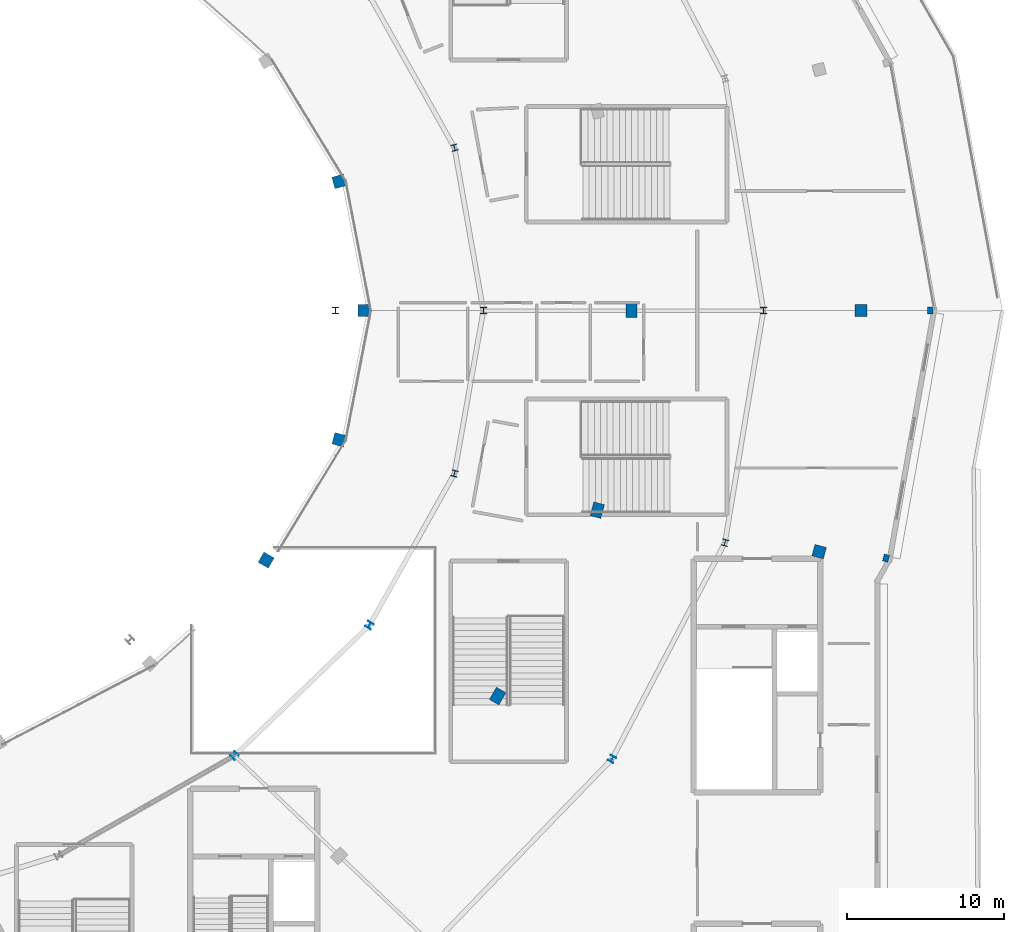
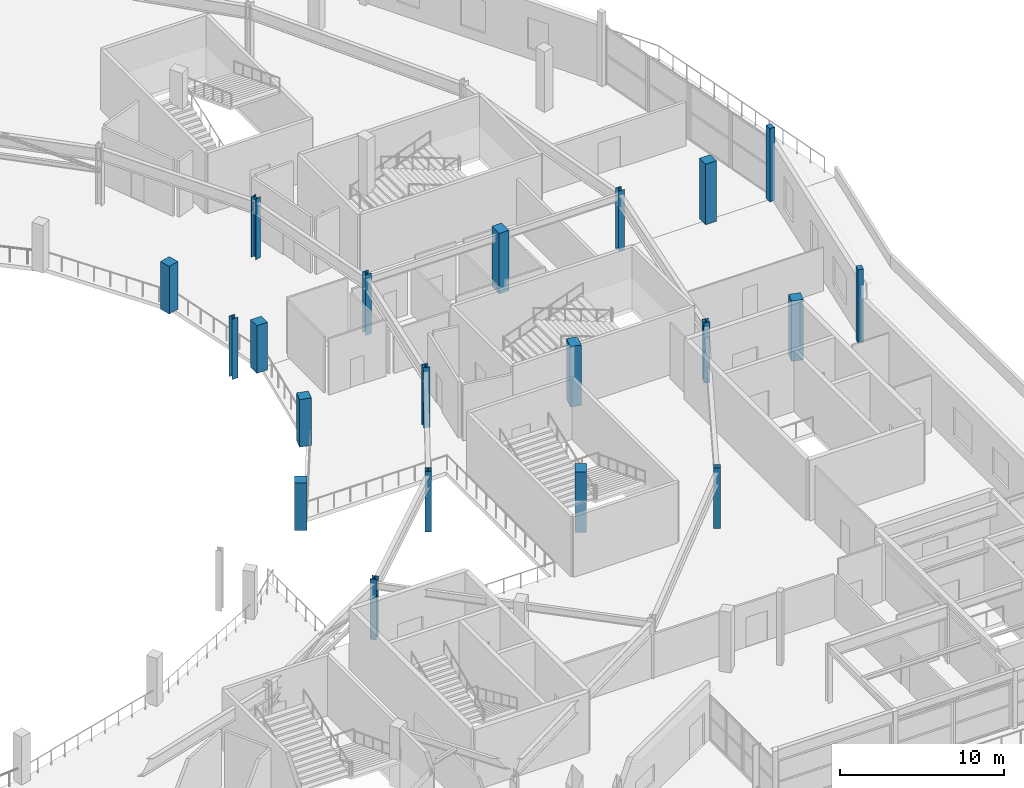
# One storey, part 14 of 123: 20 columns.
"""IFC4 building model written with IfcOpenShell, lengths in metres."""

from ifc_helpers import new_model, si_unit, direction, frame, origin, origin_2d, place, context, subcontext, project, spatial, rectangle, i_section, extrude, material, material_profile, profile_set, type_object, element, save


model = new_model("IFC4")

# Units and contexts
model_context = context("Model", 3, precision=1e-05, world=origin(), true_north=direction((0.0, 1.0)))
body_context = subcontext(model_context, "Body", "Model", "MODEL_VIEW")
ifc_project = project(units=[si_unit("LENGTHUNIT", "METRE"), si_unit("AREAUNIT", "SQUARE_METRE"), si_unit("VOLUMEUNIT", "CUBIC_METRE"), si_unit("PLANEANGLEUNIT", "RADIAN"), si_unit("MASSUNIT", "GRAM", prefix="KILO")], contexts=[model_context])

# Site, building, storey
site_placement = place(None, origin())
site = spatial("IfcSite", under=ifc_project, at=site_placement, CompositionType="ELEMENT")
building_placement = place(site_placement, origin())
building = spatial("IfcBuilding", under=site, at=building_placement, Name="Kalgoora Escarpment Arena", CompositionType="ELEMENT")
storey_placement = place(building_placement, frame((0.0, 0.0, 9.89990234375)))
storey = spatial("IfcBuildingStorey", under=building, at=storey_placement, Name="L02", CompositionType="ELEMENT", Elevation=9.89990234375)

# Columns
ifc_material_1 = material(Name="Structural steel Grade 350 (350 MPa)", Category="steel")
ifc_material_profile_1 = material_profile(ifc_material_1, i_section(OverallWidth=0.39990234375, OverallDepth=0.39990234375, WebThickness=0.01611328125, FlangeThickness=0.028076171875, at=origin_2d()))
ifc_profile_set_1 = profile_set([ifc_material_profile_1], Name="Structural steel Grade 350 (350 MPa)")
column_type_1 = type_object("IfcColumnType", Name="COL-COL-400WC212", PredefinedType="COLUMN", material=ifc_profile_set_1)
for number, where, z_axis, x_axis, name in (
    (1, (164.199951171875, 64.0, 0.0), (0.0, 0.0, 1.0), (1.0, 0.0, 0.0), "L02 structural column COL-RCONC2-R01"),
    (2, (154.58056640625, 35.5, 0.0), (0.0, 0.0, 1.0), (0.866025403784, -0.5, 0.0), "L02 structural column COL-RCONC2-R23"),
    (3, (161.75341796875, 49.247314453125, 0.0), (0.0, 0.0, 1.0), (0.965925826289, -0.258819045103, 0.0), "L02 structural column COL-RCONC2-R24"),
):
    element("IfcColumn", number, at=place(storey_placement, frame(where, z_axis=z_axis, x_axis=x_axis)), inside=storey, type_object=column_type_1, Name=name, PredefinedType="COLUMN", context=body_context, shape_type="SweptSolid", body=[
        extrude(i_section(OverallWidth=0.39990234375, OverallDepth=0.39990234375, WebThickness=0.01611328125, FlangeThickness=0.028076171875, at=origin_2d()), origin(), (0.0, 0.0, 1.0), 4.5),
    ])
ifc_material_2 = material(Name="Structural steel Grade 350 (350 MPa)", Category="steel")
ifc_material_profile_2 = material_profile(ifc_material_2, i_section(OverallWidth=0.39990234375, OverallDepth=0.39990234375, WebThickness=0.01806640625, FlangeThickness=0.031982421875, at=origin_2d()))
ifc_profile_set_2 = profile_set([ifc_material_profile_2], Name="Structural steel Grade 350 (350 MPa)")
column_type_2 = type_object("IfcColumnType", Name="COL-COL-400WC270", PredefinedType="COLUMN", material=ifc_profile_set_2)
for number, where, z_axis, x_axis, name in (
    (4, (146.39990234375, 64.0, 0.0), (0.0, 0.0, 1.0), (1.0, 0.0, 0.0), "L02 structural column COL-RMAIN-R01"),
    (5, (144.56005859375, 74.352783203125, 0.0), (0.0, 0.0, 1.0), (0.965925826289, 0.258819045103, 0.0), "L02 structural column COL-RMAIN-R02"),
    (6, (130.583740234375, 35.7158203125, 0.0), (0.0, 0.0, 1.0), (0.707106781187, -0.707106781187, 0.0), "L02 structural column COL-RMAIN-R22"),
    (7, (139.165283203125, 44.0, 0.0), (0.0, 0.0, 1.0), (0.866025403784, -0.5, 0.0), "L02 structural column COL-RMAIN-R23"),
    (8, (144.56005859375, 53.647216796875, 0.0), (0.0, 0.0, 1.0), (0.965925826289, -0.258819045103, 0.0), "L02 structural column COL-RMAIN-R24"),
    (9, (137.0, 64.0, 0.0), (0.0, 0.0, 1.0), (1.0, 0.0, 0.0), "L02 structural column COL-TSPINE-S01"),
):
    element("IfcColumn", number, at=place(storey_placement, frame(where, z_axis=z_axis, x_axis=x_axis)), inside=storey, type_object=column_type_2, Name=name, PredefinedType="COLUMN", context=body_context, shape_type="SweptSolid", body=[
        extrude(i_section(OverallWidth=0.39990234375, OverallDepth=0.39990234375, WebThickness=0.01806640625, FlangeThickness=0.031982421875, at=origin_2d()), origin(), (0.0, 0.0, 1.0), 4.5),
    ])
ifc_material_3 = material(Name="Concrete N50 (fc' 50 MPa)", Category="concrete")
ifc_material_profile_3 = material_profile(ifc_material_3, rectangle(XDim=0.75, YDim=0.75, at=origin_2d()))
ifc_profile_set_3 = profile_set([ifc_material_profile_3], Name="Concrete N50 (fc' 50 MPa)")
column_type_3 = type_object("IfcColumnType", Name="COL-COL-RC750x750", PredefinedType="COLUMN", material=ifc_profile_set_3)
column_1_placement = place(storey_placement, frame((138.81005859375, 64.0, 0.0), z_axis=(0.0, 0.0, 1.0), x_axis=(1.0, 0.0, 0.0)))
element("IfcColumn", 10, at=column_1_placement, inside=storey, type_object=column_type_3, Name="L02 structural column COL-RMID-R01", PredefinedType="COLUMN", context=body_context, shape_type="SweptSolid", body=[
    extrude(rectangle(XDim=0.75, YDim=0.75, at=origin_2d()), origin(), (0.0, 0.0, 1.0), 3.54296875),
])
column_2_placement = place(storey_placement, frame((137.228515625, 72.209716796875, 0.0), z_axis=(0.0, 0.0, 1.0), x_axis=(0.965925826289, 0.258819045103, 0.0)))
element("IfcColumn", 11, at=column_2_placement, inside=storey, type_object=column_type_3, Name="L02 structural column COL-RMID-R02", PredefinedType="COLUMN", context=body_context, shape_type="SweptSolid", body=[
    extrude(rectangle(XDim=0.75, YDim=0.75, at=origin_2d()), origin(), (0.0, 0.0, 1.0), 3.5439453125),
])
column_3_placement = place(storey_placement, frame((132.59228515625, 48.139892578125, 0.0), z_axis=(0.0, 0.0, 1.0), x_axis=(0.866025403784, -0.5, 0.0)))
element("IfcColumn", 12, at=column_3_placement, inside=storey, type_object=column_type_3, Name="L02 structural column COL-RMID-R23", PredefinedType="COLUMN", context=body_context, shape_type="SweptSolid", body=[
    extrude(rectangle(XDim=0.75, YDim=0.75, at=origin_2d()), origin(), (0.0, 0.0, 1.0), 3.546142578125),
])
column_4_placement = place(storey_placement, frame((137.228515625, 55.790283203125, 0.0), z_axis=(0.0, 0.0, 1.0), x_axis=(0.965925826289, -0.258819045103, 0.0)))
element("IfcColumn", 13, at=column_4_placement, inside=storey, type_object=column_type_3, Name="L02 structural column COL-RMID-R24", PredefinedType="COLUMN", context=body_context, shape_type="SweptSolid", body=[
    extrude(rectangle(XDim=0.75, YDim=0.75, at=origin_2d()), origin(), (0.0, 0.0, 1.0), 3.5439453125),
])
for number, where, z_axis, x_axis, name in (
    (14, (170.39990234375, 64.0, 0.0), (0.0, 0.0, 1.0), (1.0, 0.0, 0.0), "L02 structural column COL-RBASE1-R01"),
    (15, (167.7421875, 48.677978515625, 0.0), (0.0, 0.0, 1.0), (0.965925826289, -0.258819045103, 0.0), "L02 structural column COL-RBASE1-R24"),
):
    element("IfcColumn", number, at=place(storey_placement, frame(where, z_axis=z_axis, x_axis=x_axis)), inside=storey, type_object=column_type_3, Name=name, PredefinedType="COLUMN", context=body_context, shape_type="SweptSolid", body=[
        extrude(rectangle(XDim=0.75, YDim=0.75, at=origin_2d()), origin(), (0.0, 0.0, 1.0), 4.5),
    ])
ifc_material_4 = material(Name="Concrete N50 (fc' 50 MPa)", Category="concrete")
ifc_material_profile_4 = material_profile(ifc_material_4, rectangle(XDim=0.699951171875, YDim=0.89990234375, at=origin_2d()))
ifc_profile_set_4 = profile_set([ifc_material_profile_4], Name="Concrete N50 (fc' 50 MPa)")
column_type_4 = type_object("IfcColumnType", Name="COL-COL-RC900x700", PredefinedType="COLUMN", material=ifc_profile_set_4)
for number, where, z_axis, x_axis, name in (
    (16, (155.800048828125, 64.0, 0.0), (0.0, 0.0, 1.0), (1.0, 0.0, 0.0), "L02 structural column COL-RCONC1-R01"),
    (17, (147.305908203125, 39.5, 0.0), (0.0, 0.0, 1.0), (0.866025403784, -0.5, 0.0), "L02 structural column COL-RCONC1-R23"),
    (18, (153.6396484375, 51.31787109375, 0.0), (0.0, 0.0, 1.0), (0.965925826289, -0.258819045103, 0.0), "L02 structural column COL-RCONC1-R24"),
):
    element("IfcColumn", number, at=place(storey_placement, frame(where, z_axis=z_axis, x_axis=x_axis)), inside=storey, type_object=column_type_4, Name=name, PredefinedType="COLUMN", context=body_context, shape_type="SweptSolid", body=[
        extrude(rectangle(XDim=0.699951171875, YDim=0.89990234375, at=origin_2d()), origin(), (0.0, 0.0, 1.0), 4.5),
    ])
ifc_material_5 = material(Name="Precast concrete N50 (fc' 50 MPa)", Category="concrete")
ifc_material_profile_5 = material_profile(ifc_material_5, rectangle(XDim=0.35009765625, YDim=0.449951171875, at=origin_2d()))
ifc_profile_set_5 = profile_set([ifc_material_profile_5], Name="Precast concrete N50 (fc' 50 MPa)")
column_type_5 = type_object("IfcColumnType", Name="COL-PIL-PC-PILASTER-450x350", PredefinedType="PILASTER", material=ifc_profile_set_5)
for number, where, z_axis, x_axis, name in (
    (19, (174.800048828125, 64.0, 0.0), (0.0, 0.0, 1.0), (1.0, 0.0, 0.0), "L02 fluted pilaster PIL-046"),
    (20, (171.991943359375, 48.263916015625, 0.0), (0.0, 0.0, 1.0), (0.965925826289, -0.258819045103, 0.0), "L02 fluted pilaster PIL-069"),
):
    element("IfcColumn", number, at=place(storey_placement, frame(where, z_axis=z_axis, x_axis=x_axis)), inside=storey, type_object=column_type_5, Name=name, PredefinedType="PILASTER", context=body_context, shape_type="SweptSolid", body=[
        extrude(rectangle(XDim=0.35009765625, YDim=0.449951171875, at=origin_2d()), origin(), (0.0, 0.0, 1.0), 5.4501953125),
    ])

save(model, "model.ifc")
